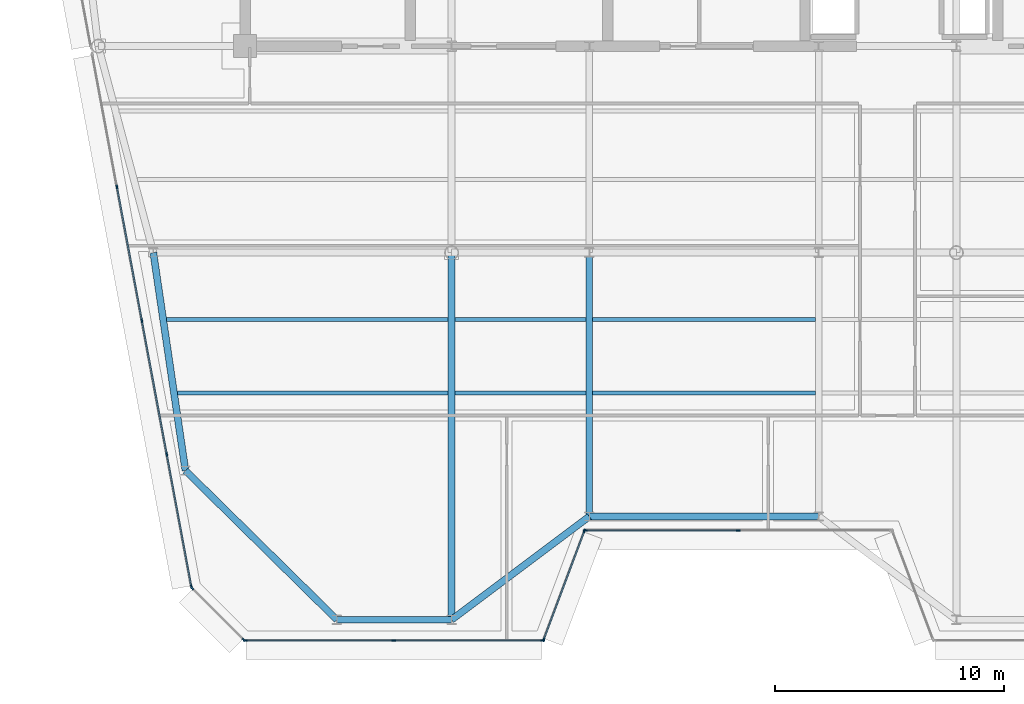
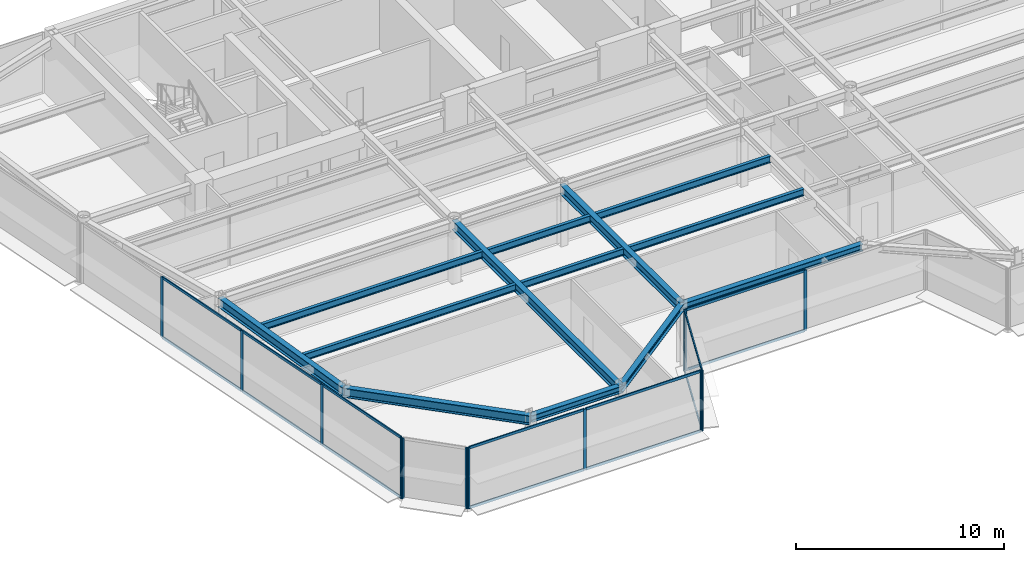
# One storey, part 3 of 18: 27 members, 13 beams, 5 elements without a shape of their own.
"""IFC4 building model written with IfcOpenShell, lengths in metres."""

import ifcopenshell
import ifcopenshell.guid

model = None  # the IFC model being written
_history = None  # IfcOwnerHistory: only IFC2X3 demands one
_inside = {}  # id of a spatial element -> (the spatial element, [elements in it])
_under = {}  # id of a project, library or spatial element -> (it, [spatial elements below it])
_declared = {}  # id of a project -> (the project, [libraries it declares])
_typed = {}  # id of a type object -> (the type object, [elements of that type])
_made_of = {}  # id of a material, layer set ... -> (it, [elements and type objects made of it])


def new_model(schema):
    """Start an empty IFC model of exactly this schema.

    Asked for "IFC4X3", IfcOpenShell would pick the latest addendum, in which some entities
    have other attributes; the version numbers below select the first issue.
    IFC2X3 requires an IfcOwnerHistory on every rooted entity: one is made here for all.
    """
    global model, _history
    if schema == "IFC4X3":
        model = ifcopenshell.file(schema_version=(4, 3, 0, 0))
    else:
        model = ifcopenshell.file(schema=schema)
    _inside.clear()
    _under.clear()
    _declared.clear()
    _typed.clear()
    _made_of.clear()
    _history = None
    if model.schema == "IFC2X3":
        org = make("IfcOrganization", Name="unknown")
        user = make(
            "IfcPersonAndOrganization",
            ThePerson=make("IfcPerson", FamilyName="unknown"),
            TheOrganization=org,
        )
        app = make(
            "IfcApplication",
            ApplicationDeveloper=org,
            Version="unknown",
            ApplicationFullName="unknown",
            ApplicationIdentifier="unknown",
        )
        _history = make(
            "IfcOwnerHistory",
            OwningUser=user,
            OwningApplication=app,
            ChangeAction="ADDED",
            CreationDate=0,
        )
    return model


def make(cls, **values):
    """One entity of the class cls with the attributes given. An attribute that is None is left unset."""
    return model.create_entity(
        cls, **{name: value for name, value in values.items() if value is not None}
    )


def rooted(cls, **values):
    """An entity with a GlobalId (a new one), such as an element, a storey or a relation."""
    return make(cls, GlobalId=ifcopenshell.guid.new(), OwnerHistory=_history, **values)


def si_unit(unit_type, name, prefix=None):
    """IfcSIUnit, for example si_unit("LENGTHUNIT", "METRE", prefix="MILLI")."""
    return make("IfcSIUnit", UnitType=unit_type, Prefix=prefix, Name=name)


def assignment(units):
    """IfcUnitAssignment: the units of a project."""
    return None if units is None else make("IfcUnitAssignment", Units=units)


def point(xyz):
    """IfcCartesianPoint."""
    return None if xyz is None else make("IfcCartesianPoint", Coordinates=xyz)


def direction(xyz):
    """IfcDirection."""
    return None if xyz is None else make("IfcDirection", DirectionRatios=xyz)


def frame(location, z_axis=None, x_axis=None):
    """IfcAxis2Placement3D, a coordinate frame: its origin and axes. An axis left out is left unset."""
    return make(
        "IfcAxis2Placement3D",
        Location=point(location),
        Axis=direction(z_axis),
        RefDirection=direction(x_axis),
    )


def frame_2d(location, x_axis=None):
    """IfcAxis2Placement2D, a coordinate frame in the plane: its origin and x axis."""
    return make(
        "IfcAxis2Placement2D", Location=point(location), RefDirection=direction(x_axis)
    )


def origin():
    """The frame at (0, 0, 0) with its axes left unset."""
    return frame((0.0, 0.0, 0.0))


def origin_2d():
    """The frame at (0, 0) in the plane with its x axis left unset."""
    return frame_2d((0.0, 0.0))


def place(relative_to, where):
    """IfcLocalPlacement: puts the frame where relative to a parent placement (None: the world)."""
    return make(
        "IfcLocalPlacement", PlacementRelTo=relative_to, RelativePlacement=where
    )


def context(
    kind, dimensions, precision=None, world=None, true_north=None, identifier=None
):
    """IfcGeometricRepresentationContext, for example the 3D "Model" context."""
    return make(
        "IfcGeometricRepresentationContext",
        ContextIdentifier=identifier,
        ContextType=kind,
        CoordinateSpaceDimension=dimensions,
        Precision=precision,
        WorldCoordinateSystem=world,
        TrueNorth=true_north,
    )


def subcontext(parent, identifier, kind, view, scale=None):
    """IfcGeometricRepresentationSubContext, for example "Body" below "Model"."""
    return make(
        "IfcGeometricRepresentationSubContext",
        ContextIdentifier=identifier,
        ContextType=kind,
        ParentContext=parent,
        TargetScale=scale,
        TargetView=view,
    )


def project(units=None, contexts=None):
    """IfcProject with its units and contexts."""
    return rooted(
        "IfcProject",
        Name="project",
        RepresentationContexts=contexts,
        UnitsInContext=assignment(units),
    )


def spatial(cls, under=None, at=None, **own):
    """A site, building, storey or space (cls), placed at a placement, below another one or the project."""
    s = rooted(cls, ObjectPlacement=at, **own)
    if under is not None:
        _under.setdefault(under.id(), (under, []))[1].append(s)
    return s


def profile(cls, at=None, kind="AREA", **sizes):
    """A parametric profile (cls). Its sizes go by their IFC names, for example OverallWidth=200.0."""
    return make(cls, ProfileType=kind, Position=at, **sizes)


def rectangle(**sizes):
    """IfcRectangleProfileDef."""
    return profile("IfcRectangleProfileDef", **sizes)


def i_section(**sizes):
    """IfcIShapeProfileDef."""
    return profile("IfcIShapeProfileDef", **sizes)


def extrude(swept, where, along, depth):
    """IfcExtrudedAreaSolid: the profile swept, set in the frame where, extruded along a direction by depth."""
    return make(
        "IfcExtrudedAreaSolid",
        SweptArea=swept,
        Position=where,
        ExtrudedDirection=direction(along),
        Depth=depth,
    )


def shape(context_of_items, identifier, shape_type, items):
    """IfcShapeRepresentation: the items that make up one representation, for example the "Body"."""
    return make(
        "IfcShapeRepresentation",
        ContextOfItems=context_of_items,
        RepresentationIdentifier=identifier,
        RepresentationType=shape_type,
        Items=items,
    )


def source(mapping_origin, context_of_items, identifier, shape_type, items):
    """IfcRepresentationMap: a shape defined once, which mapped items show again and again."""
    return make(
        "IfcRepresentationMap",
        MappingOrigin=mapping_origin,
        MappedRepresentation=shape(context_of_items, identifier, shape_type, items),
    )


def transform(
    local_origin,
    x_axis=None,
    y_axis=None,
    z_axis=None,
    scale=None,
    scale2=None,
    scale3=None,
    uniform=True,
):
    """IfcCartesianTransformationOperator3D, or its non-uniform kind. x_axis, y_axis, z_axis: its Axis1, 2, 3."""
    if uniform:
        return make(
            "IfcCartesianTransformationOperator3D",
            Axis1=direction(x_axis),
            Axis2=direction(y_axis),
            LocalOrigin=point(local_origin),
            Scale=scale,
            Axis3=direction(z_axis),
        )
    return make(
        "IfcCartesianTransformationOperator3DnonUniform",
        Axis1=direction(x_axis),
        Axis2=direction(y_axis),
        LocalOrigin=point(local_origin),
        Scale=scale,
        Axis3=direction(z_axis),
        Scale2=scale2,
        Scale3=scale3,
    )


def mapped(mapping_source, mapping_target):
    """IfcMappedItem: shows the shape of a source again, moved by a transform."""
    return make(
        "IfcMappedItem", MappingSource=mapping_source, MappingTarget=mapping_target
    )


def material(Name=None, Category=None):
    """IfcMaterial."""
    return make("IfcMaterial", Name=Name, Category=Category)


def layer(
    of_material, thickness, ventilated=None, Name=None, Category=None, Priority=None
):
    """IfcMaterialLayer: one layer of a wall or slab, of a material (None: an air gap)."""
    return make(
        "IfcMaterialLayer",
        Material=of_material,
        LayerThickness=thickness,
        IsVentilated=ventilated,
        Name=Name,
        Category=Category,
        Priority=Priority,
    )


def layer_set(layers, Name=None):
    """IfcMaterialLayerSet."""
    return make("IfcMaterialLayerSet", MaterialLayers=layers, LayerSetName=Name)


def material_profile(
    of_material, cross_section, Name=None, Category=None, Priority=None
):
    """IfcMaterialProfile: a cross section and its material."""
    return make(
        "IfcMaterialProfile",
        Name=Name,
        Material=of_material,
        Profile=cross_section,
        Priority=Priority,
        Category=Category,
    )


def profile_set(profiles, Name=None, composite=None):
    """IfcMaterialProfileSet."""
    return make(
        "IfcMaterialProfileSet",
        Name=Name,
        MaterialProfiles=profiles,
        CompositeProfile=composite,
    )


def made_of(thing, what):
    """Note that an element or type object is made of a material, layer set ...; save() writes the relation."""
    if what is not None:
        _made_of.setdefault(what.id(), (what, []))[1].append(thing)
    return thing


def type_object(cls, material=None, **own):
    """A type object (cls), such as IfcWallType, which elements share."""
    return made_of(rooted(cls, **own), material)


def element(
    cls,
    number,
    at=None,
    inside=None,
    cuts=None,
    type_object=None,
    material=None,
    context=None,
    identifier="Body",
    shape_type=None,
    held_by="IfcProductDefinitionShape",
    body=None,
    shapes=None,
    **own,
):
    """One element of the class cls, such as IfcWall. Its Tag is "e" and its number.

    at: its placement. inside: the storey or other place that contains it. cuts: it is an
    opening in that element (IfcRelVoidsElement). A single representation is given by context,
    identifier, shape_type and body (its items); several are given by shapes. held_by: the class
    of the entity that holds the representations. save() writes the other relations.
    """
    e = rooted(cls, Tag="e%d" % number, ObjectPlacement=at, **own)
    if body is not None:
        shapes = [shape(context, identifier, shape_type, body)]
    if shapes is not None:
        e.Representation = make(held_by, Representations=shapes)
    if inside is not None:
        _inside.setdefault(inside.id(), (inside, []))[1].append(e)
    if cuts is not None:
        rooted(
            "IfcRelVoidsElement", RelatingBuildingElement=cuts, RelatedOpeningElement=e
        )
    if type_object is not None:
        _typed.setdefault(type_object.id(), (type_object, []))[1].append(e)
    return made_of(e, material)


def aggregate(whole, parts):
    """IfcRelAggregates: a whole, such as a stair, and the parts it consists of."""
    return rooted("IfcRelAggregates", RelatingObject=whole, RelatedObjects=parts)


def save(model, path):
    """Write the relations noted so far, then the file.

    IfcRelAggregates (storeys below a building ...), IfcRelContainedInSpatialStructure (elements
    in a storey), IfcRelDefinesByType, IfcRelAssociatesMaterial and IfcRelDeclares: one each for
    every whole, place, type object, material and project.
    """
    for whole, parts in _under.values():
        aggregate(whole, parts)
    for where, things in _inside.values():
        rooted(
            "IfcRelContainedInSpatialStructure",
            RelatedElements=things,
            RelatingStructure=where,
        )
    for kind, things in _typed.values():
        rooted("IfcRelDefinesByType", RelatedObjects=things, RelatingType=kind)
    for what, things in _made_of.values():
        rooted("IfcRelAssociatesMaterial", RelatedObjects=things, RelatingMaterial=what)
    for by, libraries in _declared.values():
        rooted("IfcRelDeclares", RelatingContext=by, RelatedDefinitions=libraries)
    model.write(path)


model = new_model("IFC4")

# Units and contexts
model_context = context("Model", 3, precision=1e-05, world=origin(), true_north=direction((0.0, 1.0)))
body_context = subcontext(model_context, "Body", "Model", "MODEL_VIEW")
ifc_project = project(units=[si_unit("LENGTHUNIT", "METRE"), si_unit("AREAUNIT", "SQUARE_METRE"), si_unit("VOLUMEUNIT", "CUBIC_METRE"), si_unit("PLANEANGLEUNIT", "RADIAN"), si_unit("MASSUNIT", "GRAM", prefix="KILO")], contexts=[model_context])

# Site, building, storey
site_placement = place(None, origin())
site = spatial("IfcSite", under=ifc_project, at=site_placement, CompositionType="ELEMENT")
building_placement = place(site_placement, origin())
building = spatial("IfcBuilding", under=site, at=building_placement, Name="Vaeldorn Concourse Tower", CompositionType="ELEMENT")
storey_placement = place(building_placement, frame((0.0, 0.0, 253.60009765625)))
storey = spatial("IfcBuildingStorey", under=building, at=storey_placement, Name="L65", CompositionType="ELEMENT", Elevation=253.60009765625)

# Beams
ifc_material_1 = material(Name="Steel S355", Category="steel")
ifc_material_profile_1 = material_profile(ifc_material_1, i_section(OverallWidth=0.300048828125, OverallDepth=0.39990234375, WebThickness=0.013427734375, FlangeThickness=0.02392578125, FilletRadius=0.027099609375, at=origin_2d()), Name="HEB 400")
ifc_profile_set_1 = profile_set([ifc_material_profile_1], Name="Steel S355")
beam_type_1 = type_object("IfcBeamType", Name="BM-SP-HEB400", PredefinedType="SPANDREL", material=ifc_profile_set_1)
shared_shape_1 = source(origin(), body_context, "Body", "SweptSolid", [
    extrude(i_section(OverallWidth=0.300048828125, OverallDepth=0.39990234375, WebThickness=0.013427734375, FlangeThickness=0.02392578125, FilletRadius=0.027099609375, at=origin_2d()), origin(), (0.0, 0.0, 1.0), 5.0),
])
beam_1_placement = place(storey_placement, frame((18.0, 11.5, 3.3798828125), z_axis=(1.0, 0.0, 0.0), x_axis=(0.0, 1.0, 0.0)))
element("IfcBeam", 1, at=beam_1_placement, inside=storey, type_object=beam_type_1, Name="Beam BM-L65-C-SF1-C-SF2", PredefinedType="SPANDREL", context=body_context, shape_type="MappedRepresentation", body=[
    mapped(shared_shape_1, transform((0.0, 0.0, 0.0), scale=1.0)),
])
shared_shape_2 = source(origin(), body_context, "Body", "SweptSolid", [
    extrude(i_section(OverallWidth=0.300048828125, OverallDepth=0.39990234375, WebThickness=0.013427734375, FlangeThickness=0.02392578125, FilletRadius=0.027099609375, at=origin_2d()), origin(), (0.0, 0.0, 1.0), 7.5),
])
beam_2_placement = place(storey_placement, frame((23.0, 11.5, 3.3798828125), z_axis=(0.8, 0.6, 0.0), x_axis=(-0.6, 0.8, 0.0)))
element("IfcBeam", 2, at=beam_2_placement, inside=storey, type_object=beam_type_1, Name="Beam BM-L65-C-SF2-C-SF3", PredefinedType="SPANDREL", context=body_context, shape_type="MappedRepresentation", body=[
    mapped(shared_shape_2, transform((0.0, 0.0, 0.0), scale=1.0)),
])
shared_shape_3 = source(origin(), body_context, "Body", "SweptSolid", [
    extrude(i_section(OverallWidth=0.300048828125, OverallDepth=0.39990234375, WebThickness=0.013427734375, FlangeThickness=0.02392578125, FilletRadius=0.027099609375, at=origin_2d()), origin(), (0.0, 0.0, 1.0), 10.0),
])
beam_3_placement = place(storey_placement, frame((29.0, 16.0, 3.3798828125), z_axis=(1.0, 0.0, 0.0), x_axis=(0.0, 1.0, 0.0)))
element("IfcBeam", 3, at=beam_3_placement, inside=storey, type_object=beam_type_1, Name="Beam BM-L65-C-SF3-C-SF4", PredefinedType="SPANDREL", context=body_context, shape_type="MappedRepresentation", body=[
    mapped(shared_shape_3, transform((0.0, 0.0, 0.0), scale=1.0)),
])
ifc_material_profile_2 = material_profile(ifc_material_1, i_section(OverallWidth=0.179931640625, OverallDepth=0.39990234375, WebThickness=0.008544921875, FlangeThickness=0.013427734375, FilletRadius=0.02099609375, at=origin_2d()), Name="IPE 400")
ifc_profile_set_2 = profile_set([ifc_material_profile_2], Name="Steel S355")
beam_type_2 = type_object("IfcBeamType", Name="BM-JS-IPE400", PredefinedType="JOIST", material=ifc_profile_set_2)
shared_shape_4 = source(origin(), body_context, "Body", "SweptSolid", [
    extrude(i_section(OverallWidth=0.179931640625, OverallDepth=0.39990234375, WebThickness=0.008544921875, FlangeThickness=0.013427734375, FilletRadius=0.02099609375, at=origin_2d()), origin(), (0.0, 0.0, 1.0), 11.798095703125),
])
beam_4_placement = place(storey_placement, frame((11.052001953125, 21.3798828125, 3.3798828125), z_axis=(1.0, 0.0, 0.0), x_axis=(0.0, 1.0, 0.0)))
element("IfcBeam", 4, at=beam_4_placement, inside=storey, type_object=beam_type_2, Name="Beam JS-L65-W1-213", PredefinedType="JOIST", context=body_context, shape_type="MappedRepresentation", body=[
    mapped(shared_shape_4, transform((0.0, 0.0, 0.0), scale=1.0)),
])
shared_shape_5 = source(origin(), body_context, "Body", "SweptSolid", [
    extrude(i_section(OverallWidth=0.179931640625, OverallDepth=0.39990234375, WebThickness=0.008544921875, FlangeThickness=0.013427734375, FilletRadius=0.02099609375, at=origin_2d()), origin(), (0.0, 0.0, 1.0), 5.7001953125),
])
for number, where, z_axis, x_axis, name in (
    (5, (23.14990234375, 21.3798828125, 3.3798828125), (1.0, 0.0, 0.0), (0.0, 1.0, 0.0), "Beam JS-L65-W2-213"),
    (6, (23.14990234375, 24.580078125, 3.3798828125), (1.0, 0.0, 0.0), (0.0, 1.0, 0.0), "Beam JS-L65-W2-245"),
):
    element("IfcBeam", number, at=place(storey_placement, frame(where, z_axis=z_axis, x_axis=x_axis)), inside=storey, type_object=beam_type_2, Name=name, PredefinedType="JOIST", context=body_context, shape_type="MappedRepresentation", body=[
        mapped(shared_shape_5, transform((0.0, 0.0, 0.0), scale=1.0)),
    ])
shared_shape_6 = source(origin(), body_context, "Body", "SweptSolid", [
    extrude(i_section(OverallWidth=0.179931640625, OverallDepth=0.39990234375, WebThickness=0.008544921875, FlangeThickness=0.013427734375, FilletRadius=0.02099609375, at=origin_2d()), origin(), (0.0, 0.0, 1.0), 9.7001953125),
])
for number, where, z_axis, x_axis, name in (
    (7, (29.14990234375, 21.3798828125, 3.3798828125), (1.0, 0.0, 0.0), (0.0, 1.0, 0.0), "Beam JS-L65-C-213"),
    (8, (29.14990234375, 24.580078125, 3.3798828125), (1.0, 0.0, 0.0), (0.0, 1.0, 0.0), "Beam JS-L65-C-245"),
):
    element("IfcBeam", number, at=place(storey_placement, frame(where, z_axis=z_axis, x_axis=x_axis)), inside=storey, type_object=beam_type_2, Name=name, PredefinedType="JOIST", context=body_context, shape_type="MappedRepresentation", body=[
        mapped(shared_shape_6, transform((0.0, 0.0, 0.0), scale=1.0)),
    ])
shared_shape_7 = source(origin(), body_context, "Body", "SweptSolid", [
    extrude(i_section(OverallWidth=0.179931640625, OverallDepth=0.39990234375, WebThickness=0.008544921875, FlangeThickness=0.013427734375, FilletRadius=0.02099609375, at=origin_2d()), origin(), (0.0, 0.0, 1.0), 12.269775390625),
])
beam_5_placement = place(storey_placement, frame((10.580322265625, 24.580078125, 3.3798828125), z_axis=(1.0, 0.0, 0.0), x_axis=(0.0, 1.0, 0.0)))
element("IfcBeam", 9, at=beam_5_placement, inside=storey, type_object=beam_type_2, Name="Beam JS-L65-W1-245", PredefinedType="JOIST", context=body_context, shape_type="MappedRepresentation", body=[
    mapped(shared_shape_7, transform((0.0, 0.0, 0.0), scale=1.0)),
])
ifc_material_profile_3 = material_profile(ifc_material_1, i_section(OverallWidth=0.300048828125, OverallDepth=0.550048828125, WebThickness=0.014892578125, FlangeThickness=0.029052734375, FilletRadius=0.027099609375, at=origin_2d()), Name="HEB 550")
ifc_profile_set_3 = profile_set([ifc_material_profile_3], Name="Steel S355")
beam_type_3 = type_object("IfcBeamType", Name="BM-PG-HEB550", PredefinedType="BEAM", material=ifc_profile_set_3)
shared_shape_8 = source(origin(), body_context, "Body", "SweptSolid", [
    extrude(i_section(OverallWidth=0.300048828125, OverallDepth=0.550048828125, WebThickness=0.014892578125, FlangeThickness=0.029052734375, FilletRadius=0.027099609375, at=origin_2d()), origin(), (0.0, 0.0, 1.0), 9.6025390625),
])
beam_6_placement = place(storey_placement, frame((10.0, 27.5, 3.304931640625), z_axis=(0.145783835977, -0.989316467652, 0.0), x_axis=(0.989316467652, 0.145783835977, 0.0)))
element("IfcBeam", 10, at=beam_6_placement, inside=storey, type_object=beam_type_3, Name="Beam BM-L65-C-FLW1-C-FLW2", PredefinedType="BEAM", context=body_context, shape_type="MappedRepresentation", body=[
    mapped(shared_shape_8, transform((0.0, 0.0, 0.0), scale=1.0)),
])
shared_shape_9 = source(origin(), body_context, "Body", "SweptSolid", [
    extrude(i_section(OverallWidth=0.300048828125, OverallDepth=0.550048828125, WebThickness=0.014892578125, FlangeThickness=0.029052734375, FilletRadius=0.027099609375, at=origin_2d()), origin(), (0.0, 0.0, 1.0), 9.263427734375),
])
beam_7_placement = place(storey_placement, frame((18.0, 11.5, 3.304931640625), z_axis=(-0.71248897494, 0.701683305053, 0.0), x_axis=(-0.701683305053, -0.71248897494, 0.0)))
element("IfcBeam", 11, at=beam_7_placement, inside=storey, type_object=beam_type_3, Name="Beam BM-L65-C-SF1-C-FLW2", PredefinedType="BEAM", context=body_context, shape_type="MappedRepresentation", body=[
    mapped(shared_shape_9, transform((0.0, 0.0, 0.0), scale=1.0)),
])
shared_shape_10 = source(origin(), body_context, "Body", "SweptSolid", [
    extrude(i_section(OverallWidth=0.300048828125, OverallDepth=0.550048828125, WebThickness=0.014892578125, FlangeThickness=0.029052734375, FilletRadius=0.027099609375, at=origin_2d()), origin(), (0.0, 0.0, 1.0), 16.0),
])
beam_8_placement = place(storey_placement, frame((23.0, 11.5, 3.304931640625), z_axis=(0.0, 1.0, 0.0), x_axis=(-1.0, 0.0, 0.0)))
element("IfcBeam", 12, at=beam_8_placement, inside=storey, type_object=beam_type_3, Name="Beam BM-L65-C-SF2-C-TW1", PredefinedType="BEAM", context=body_context, shape_type="MappedRepresentation", body=[
    mapped(shared_shape_10, transform((0.0, 0.0, 0.0), scale=1.0)),
])
shared_shape_11 = source(origin(), body_context, "Body", "SweptSolid", [
    extrude(i_section(OverallWidth=0.300048828125, OverallDepth=0.550048828125, WebThickness=0.014892578125, FlangeThickness=0.029052734375, FilletRadius=0.027099609375, at=origin_2d()), origin(), (0.0, 0.0, 1.0), 11.5),
])
beam_9_placement = place(storey_placement, frame((29.0, 16.0, 3.304931640625), z_axis=(0.0, 1.0, 0.0), x_axis=(-1.0, 0.0, 0.0)))
element("IfcBeam", 13, at=beam_9_placement, inside=storey, type_object=beam_type_3, Name="Beam BM-L65-C-SF3-C-TW2", PredefinedType="BEAM", context=body_context, shape_type="MappedRepresentation", body=[
    mapped(shared_shape_11, transform((0.0, 0.0, 0.0), scale=1.0)),
])

# Curtain wall, members
ifc_material_2 = material(Name="Anodised Bronze Aluminium", Category="aluminium")
ifc_layer = layer(ifc_material_2, 0.179931640625)
ifc_layer_set = layer_set([ifc_layer], Name="Anodised Bronze Aluminium")
curtain_wall_type = type_object("IfcCurtainWallType", Name="CW-SYS-05", PredefinedType="NOTDEFINED", material=ifc_layer_set)
curtain_wall_1_placement = place(storey_placement, origin())
curtain_wall_1 = element("IfcCurtainWall", 14, at=curtain_wall_1_placement, inside=storey, type_object=curtain_wall_type, Name="Unitised Curtain Wall CW-L65-E01-1", PredefinedType="NOTDEFINED")
ifc_material_profile_4 = material_profile(ifc_material_2, rectangle(XDim=0.06494140625, YDim=0.169921875, at=origin_2d()), Name="CWM 65x170")
ifc_profile_set_4 = profile_set([ifc_material_profile_4], Name="Anodised Bronze Aluminium")
member_type_1 = type_object("IfcMemberType", Name="CWM-BRONZE-170", PredefinedType="MULLION", material=ifc_profile_set_4)
shared_shape_12 = source(origin(), body_context, "Body", "SweptSolid", [
    extrude(rectangle(XDim=0.06494140625, YDim=0.169921875, at=origin_2d()), origin(), (0.0, 0.0, 1.0), 3.579833984375),
])
member_1_placement = place(storey_placement, frame((13.99853515625, 10.60009765625, 0.0), z_axis=(0.0, 0.0, 1.0), x_axis=(0.0, 1.0, 0.0)))
member_1 = element("IfcMember", 15, at=member_1_placement, type_object=member_type_1, Name="CW-05 mullion 1", PredefinedType="MULLION", context=body_context, shape_type="MappedRepresentation", body=[
    mapped(shared_shape_12, transform((0.0, 0.0, 0.0), scale=1.0)),
])
member_2_placement = place(storey_placement, frame((20.48291015625, 10.60009765625, 0.0), z_axis=(0.0, 0.0, 1.0), x_axis=(0.0, 1.0, 0.0)))
member_2 = element("IfcMember", 16, at=member_2_placement, type_object=member_type_1, Name="CW-05 mullion 2", PredefinedType="MULLION", context=body_context, shape_type="MappedRepresentation", body=[
    mapped(shared_shape_12, transform((0.0, 0.0, 0.0), scale=1.0)),
])
member_3_placement = place(storey_placement, frame((26.967529296875, 10.60009765625, 0.0), z_axis=(0.0, 0.0, 1.0), x_axis=(0.0, 1.0, 0.0)))
member_3 = element("IfcMember", 17, at=member_3_placement, type_object=member_type_1, Name="CW-05 mullion 3", PredefinedType="MULLION", context=body_context, shape_type="MappedRepresentation", body=[
    mapped(shared_shape_12, transform((0.0, 0.0, 0.0), scale=1.0)),
])

curtain_wall_2_placement = place(storey_placement, origin())
curtain_wall_2 = element("IfcCurtainWall", 18, at=curtain_wall_2_placement, inside=storey, type_object=curtain_wall_type, Name="Unitised Curtain Wall CW-L65-E02-1", PredefinedType="NOTDEFINED")
member_4_placement = place(storey_placement, frame((27.011474609375, 10.63037109375, 0.0), z_axis=(0.0, 0.0, 1.0), x_axis=(-0.936329177566, 0.351123441595, 0.0)))
member_4 = element("IfcMember", 19, at=member_4_placement, type_object=member_type_1, Name="CW-05 mullion 1", PredefinedType="MULLION", context=body_context, shape_type="MappedRepresentation", body=[
    mapped(shared_shape_12, transform((0.0, 0.0, 0.0), scale=1.0)),
])
member_5_placement = place(storey_placement, frame((28.78857421875, 15.36962890625, 0.0), z_axis=(0.0, 0.0, 1.0), x_axis=(-0.936329177566, 0.351123441595, 0.0)))
member_5 = element("IfcMember", 20, at=member_5_placement, type_object=member_type_1, Name="CW-05 mullion 2", PredefinedType="MULLION", context=body_context, shape_type="MappedRepresentation", body=[
    mapped(shared_shape_12, transform((0.0, 0.0, 0.0), scale=1.0)),
])

curtain_wall_3_placement = place(storey_placement, origin())
curtain_wall_3 = element("IfcCurtainWall", 21, at=curtain_wall_3_placement, inside=storey, type_object=curtain_wall_type, Name="Unitised Curtain Wall CW-L65-E03-1", PredefinedType="NOTDEFINED")
member_6_placement = place(storey_placement, frame((28.83251953125, 15.39990234375, 0.0), z_axis=(0.0, 0.0, 1.0), x_axis=(0.0, 1.0, 0.0)))
member_6 = element("IfcMember", 22, at=member_6_placement, type_object=member_type_1, Name="CW-05 mullion 1", PredefinedType="MULLION", context=body_context, shape_type="MappedRepresentation", body=[
    mapped(shared_shape_12, transform((0.0, 0.0, 0.0), scale=1.0)),
])
member_7_placement = place(storey_placement, frame((35.5, 15.39990234375, 0.0), z_axis=(0.0, 0.0, 1.0), x_axis=(0.0, 1.0, 0.0)))
member_7 = element("IfcMember", 23, at=member_7_placement, type_object=member_type_1, Name="CW-05 mullion 2", PredefinedType="MULLION", context=body_context, shape_type="MappedRepresentation", body=[
    mapped(shared_shape_12, transform((0.0, 0.0, 0.0), scale=1.0)),
])

curtain_wall_4_placement = place(storey_placement, origin())
curtain_wall_4 = element("IfcCurtainWall", 24, at=curtain_wall_4_placement, inside=storey, type_object=curtain_wall_type, Name="Unitised Curtain Wall CW-L65-E11-2", PredefinedType="NOTDEFINED")
member_8_placement = place(storey_placement, frame((8.414306640625, 30.36376953125, 0.0), z_axis=(0.0, 0.0, 1.0), x_axis=(0.983102653673, 0.18305510739, 0.0)))
member_8 = element("IfcMember", 25, at=member_8_placement, type_object=member_type_1, Name="CW-05 mullion 2", PredefinedType="MULLION", context=body_context, shape_type="MappedRepresentation", body=[
    mapped(shared_shape_12, transform((0.0, 0.0, 0.0), scale=1.0)),
])
member_9_placement = place(storey_placement, frame((9.498046875, 24.54248046875, 0.0), z_axis=(0.0, 0.0, 1.0), x_axis=(0.983102653673, 0.18305510739, 0.0)))
member_9 = element("IfcMember", 26, at=member_9_placement, type_object=member_type_1, Name="CW-05 mullion 3", PredefinedType="MULLION", context=body_context, shape_type="MappedRepresentation", body=[
    mapped(shared_shape_12, transform((0.0, 0.0, 0.0), scale=1.0)),
])
member_10_placement = place(storey_placement, frame((10.58203125, 18.72119140625, 0.0), z_axis=(0.0, 0.0, 1.0), x_axis=(0.983102653673, 0.18305510739, 0.0)))
member_10 = element("IfcMember", 27, at=member_10_placement, type_object=member_type_1, Name="CW-05 mullion 4", PredefinedType="MULLION", context=body_context, shape_type="MappedRepresentation", body=[
    mapped(shared_shape_12, transform((0.0, 0.0, 0.0), scale=1.0)),
])
member_11_placement = place(storey_placement, frame((11.66015625, 12.931884765625, 0.0), z_axis=(0.0, 0.0, 1.0), x_axis=(0.983102653673, 0.18305510739, 0.0)))
member_11 = element("IfcMember", 28, at=member_11_placement, type_object=member_type_1, Name="CW-05 mullion 5", PredefinedType="MULLION", context=body_context, shape_type="MappedRepresentation", body=[
    mapped(shared_shape_12, transform((0.0, 0.0, 0.0), scale=1.0)),
])

curtain_wall_5_placement = place(storey_placement, origin())
curtain_wall_5 = element("IfcCurtainWall", 29, at=curtain_wall_5_placement, inside=storey, type_object=curtain_wall_type, Name="Unitised Curtain Wall CW-L65-E12-1", PredefinedType="NOTDEFINED")
member_12_placement = place(storey_placement, frame((11.68896484375, 12.876953125, 0.0), z_axis=(0.0, 0.0, 1.0), x_axis=(0.707106781187, 0.707106781187, 0.0)))
member_12 = element("IfcMember", 30, at=member_12_placement, type_object=member_type_1, Name="CW-05 mullion 1", PredefinedType="MULLION", context=body_context, shape_type="MappedRepresentation", body=[
    mapped(shared_shape_12, transform((0.0, 0.0, 0.0), scale=1.0)),
])
member_13_placement = place(storey_placement, frame((13.943115234375, 10.623046875, 0.0), z_axis=(0.0, 0.0, 1.0), x_axis=(0.707106781187, 0.707106781187, 0.0)))
member_13 = element("IfcMember", 31, at=member_13_placement, type_object=member_type_1, Name="CW-05 mullion 2", PredefinedType="MULLION", context=body_context, shape_type="MappedRepresentation", body=[
    mapped(shared_shape_12, transform((0.0, 0.0, 0.0), scale=1.0)),
])
aggregate(curtain_wall_5, [member_12, member_13])

# Member
ifc_material_profile_5 = material_profile(ifc_material_2, rectangle(XDim=0.06494140625, YDim=0.14990234375, at=origin_2d()), Name="CWT 65x150")
ifc_profile_set_5 = profile_set([ifc_material_profile_5], Name="Anodised Bronze Aluminium")
member_type_2 = type_object("IfcMemberType", Name="CWT-BRONZE-150", PredefinedType="USERDEFINED", material=ifc_profile_set_5)
shared_shape_13 = source(origin(), body_context, "Body", "SweptSolid", [
    extrude(rectangle(XDim=0.06494140625, YDim=0.14990234375, at=origin_2d()), origin(), (0.0, 0.0, 1.0), 4.996337890625),
])
member_14_placement = place(storey_placement, frame((27.022705078125, 10.660888671875, 0.032470703125), z_axis=(0.351134151405, 0.936325161318, 0.0), x_axis=(-0.936325161318, 0.351134151405, 0.0)))
member_14 = element("IfcMember", 32, at=member_14_placement, type_object=member_type_2, Name="CW-05 transom 1.1", ObjectType="TRANSOM", PredefinedType="USERDEFINED", context=body_context, shape_type="MappedRepresentation", body=[
    mapped(shared_shape_13, transform((0.0, 0.0, 0.0), scale=1.0)),
])

member_15_placement = place(storey_placement, frame((27.022705078125, 10.660888671875, 3.54736328125), z_axis=(0.351134151405, 0.936325161318, 0.0), x_axis=(-0.936325161318, 0.351134151405, 0.0)))
member_15 = element("IfcMember", 33, at=member_15_placement, type_object=member_type_2, Name="CW-05 transom 1.2", ObjectType="TRANSOM", PredefinedType="USERDEFINED", context=body_context, shape_type="MappedRepresentation", body=[
    mapped(shared_shape_13, transform((0.0, 0.0, 0.0), scale=1.0)),
])

aggregate(curtain_wall_2, [member_4, member_5, member_14, member_15])

shared_shape_14 = source(origin(), body_context, "Body", "SweptSolid", [
    extrude(rectangle(XDim=0.06494140625, YDim=0.14990234375, at=origin_2d()), origin(), (0.0, 0.0, 1.0), 6.6025390625),
])
member_16_placement = place(storey_placement, frame((28.864990234375, 15.39990234375, 0.032470703125), z_axis=(1.0, 0.0, 0.0), x_axis=(0.0, 1.0, 0.0)))
member_16 = element("IfcMember", 34, at=member_16_placement, type_object=member_type_2, Name="CW-05 transom 1.1", ObjectType="TRANSOM", PredefinedType="USERDEFINED", context=body_context, shape_type="MappedRepresentation", body=[
    mapped(shared_shape_14, transform((0.0, 0.0, 0.0), scale=1.0)),
])

member_17_placement = place(storey_placement, frame((28.864990234375, 15.39990234375, 3.54736328125), z_axis=(1.0, 0.0, 0.0), x_axis=(0.0, 1.0, 0.0)))
member_17 = element("IfcMember", 35, at=member_17_placement, type_object=member_type_2, Name="CW-05 transom 1.2", ObjectType="TRANSOM", PredefinedType="USERDEFINED", context=body_context, shape_type="MappedRepresentation", body=[
    mapped(shared_shape_14, transform((0.0, 0.0, 0.0), scale=1.0)),
])

aggregate(curtain_wall_3, [member_6, member_7, member_16, member_17])

shared_shape_15 = source(origin(), body_context, "Body", "SweptSolid", [
    extrude(rectangle(XDim=0.06494140625, YDim=0.14990234375, at=origin_2d()), origin(), (0.0, 0.0, 1.0), 5.82373046875),
])
member_18_placement = place(storey_placement, frame((10.588134765625, 18.689208984375, 0.032470703125), z_axis=(0.183030414843, -0.983107251139, 0.0), x_axis=(0.983107251139, 0.183030414843, 0.0)))
member_18 = element("IfcMember", 36, at=member_18_placement, type_object=member_type_2, Name="CW-05 transom 4.1", ObjectType="TRANSOM", PredefinedType="USERDEFINED", context=body_context, shape_type="MappedRepresentation", body=[
    mapped(shared_shape_15, transform((0.0, 0.0, 0.0), scale=1.0)),
])

member_19_placement = place(storey_placement, frame((10.588134765625, 18.689208984375, 3.54736328125), z_axis=(0.183030414843, -0.983107251139, 0.0), x_axis=(0.983107251139, 0.183030414843, 0.0)))
member_19 = element("IfcMember", 37, at=member_19_placement, type_object=member_type_2, Name="CW-05 transom 4.2", ObjectType="TRANSOM", PredefinedType="USERDEFINED", context=body_context, shape_type="MappedRepresentation", body=[
    mapped(shared_shape_15, transform((0.0, 0.0, 0.0), scale=1.0)),
])

shared_shape_16 = source(origin(), body_context, "Body", "SweptSolid", [
    extrude(rectangle(XDim=0.06494140625, YDim=0.14990234375, at=origin_2d()), origin(), (0.0, 0.0, 1.0), 5.856201171875),
])
member_20_placement = place(storey_placement, frame((8.420166015625, 30.331787109375, 0.032470703125), z_axis=(0.18305503402, -0.983102667334, 0.0), x_axis=(0.983102667334, 0.18305503402, 0.0)))
member_20 = element("IfcMember", 38, at=member_20_placement, type_object=member_type_2, Name="CW-05 transom 2.1", ObjectType="TRANSOM", PredefinedType="USERDEFINED", context=body_context, shape_type="MappedRepresentation", body=[
    mapped(shared_shape_16, transform((0.0, 0.0, 0.0), scale=1.0)),
])

member_21_placement = place(storey_placement, frame((8.420166015625, 30.331787109375, 3.54736328125), z_axis=(0.18305503402, -0.983102667334, 0.0), x_axis=(0.983102667334, 0.18305503402, 0.0)))
member_21 = element("IfcMember", 39, at=member_21_placement, type_object=member_type_2, Name="CW-05 transom 2.2", ObjectType="TRANSOM", PredefinedType="USERDEFINED", context=body_context, shape_type="MappedRepresentation", body=[
    mapped(shared_shape_16, transform((0.0, 0.0, 0.0), scale=1.0)),
])

member_22_placement = place(storey_placement, frame((9.504150390625, 24.510498046875, 0.032470703125), z_axis=(0.18305503402, -0.983102667334, 0.0), x_axis=(0.983102667334, 0.18305503402, 0.0)))
member_22 = element("IfcMember", 40, at=member_22_placement, type_object=member_type_2, Name="CW-05 transom 3.1", ObjectType="TRANSOM", PredefinedType="USERDEFINED", context=body_context, shape_type="MappedRepresentation", body=[
    mapped(shared_shape_16, transform((0.0, 0.0, 0.0), scale=1.0)),
])

member_23_placement = place(storey_placement, frame((9.504150390625, 24.510498046875, 3.54736328125), z_axis=(0.18305503402, -0.983102667334, 0.0), x_axis=(0.983102667334, 0.18305503402, 0.0)))
member_23 = element("IfcMember", 41, at=member_23_placement, type_object=member_type_2, Name="CW-05 transom 3.2", ObjectType="TRANSOM", PredefinedType="USERDEFINED", context=body_context, shape_type="MappedRepresentation", body=[
    mapped(shared_shape_16, transform((0.0, 0.0, 0.0), scale=1.0)),
])

aggregate(curtain_wall_4, [member_8, member_9, member_10, member_11, member_20, member_21, member_22, member_23, member_18, member_19])

shared_shape_17 = source(origin(), body_context, "Body", "SweptSolid", [
    extrude(rectangle(XDim=0.06494140625, YDim=0.14990234375, at=origin_2d()), origin(), (0.0, 0.0, 1.0), 6.41943359375),
])
member_24_placement = place(storey_placement, frame((14.031005859375, 10.60009765625, 0.032470703125), z_axis=(1.0, 0.0, 0.0), x_axis=(0.0, 1.0, 0.0)))
member_24 = element("IfcMember", 42, at=member_24_placement, type_object=member_type_2, Name="CW-05 transom 1.1", ObjectType="TRANSOM", PredefinedType="USERDEFINED", context=body_context, shape_type="MappedRepresentation", body=[
    mapped(shared_shape_17, transform((0.0, 0.0, 0.0), scale=1.0)),
])

member_25_placement = place(storey_placement, frame((14.031005859375, 10.60009765625, 3.54736328125), z_axis=(1.0, 0.0, 0.0), x_axis=(0.0, 1.0, 0.0)))
member_25 = element("IfcMember", 43, at=member_25_placement, type_object=member_type_2, Name="CW-05 transom 1.2", ObjectType="TRANSOM", PredefinedType="USERDEFINED", context=body_context, shape_type="MappedRepresentation", body=[
    mapped(shared_shape_17, transform((0.0, 0.0, 0.0), scale=1.0)),
])

shared_shape_18 = source(origin(), body_context, "Body", "SweptSolid", [
    extrude(rectangle(XDim=0.06494140625, YDim=0.14990234375, at=origin_2d()), origin(), (0.0, 0.0, 1.0), 6.419677734375),
])
member_26_placement = place(storey_placement, frame((20.515380859375, 10.60009765625, 0.032470703125), z_axis=(1.0, 0.0, 0.0), x_axis=(0.0, 1.0, 0.0)))
member_26 = element("IfcMember", 44, at=member_26_placement, type_object=member_type_2, Name="CW-05 transom 2.1", ObjectType="TRANSOM", PredefinedType="USERDEFINED", context=body_context, shape_type="MappedRepresentation", body=[
    mapped(shared_shape_18, transform((0.0, 0.0, 0.0), scale=1.0)),
])

member_27_placement = place(storey_placement, frame((20.515380859375, 10.60009765625, 3.54736328125), z_axis=(1.0, 0.0, 0.0), x_axis=(0.0, 1.0, 0.0)))
member_27 = element("IfcMember", 45, at=member_27_placement, type_object=member_type_2, Name="CW-05 transom 2.2", ObjectType="TRANSOM", PredefinedType="USERDEFINED", context=body_context, shape_type="MappedRepresentation", body=[
    mapped(shared_shape_18, transform((0.0, 0.0, 0.0), scale=1.0)),
])

aggregate(curtain_wall_1, [member_1, member_2, member_3, member_24, member_25, member_26, member_27])

save(model, "model.ifc")
